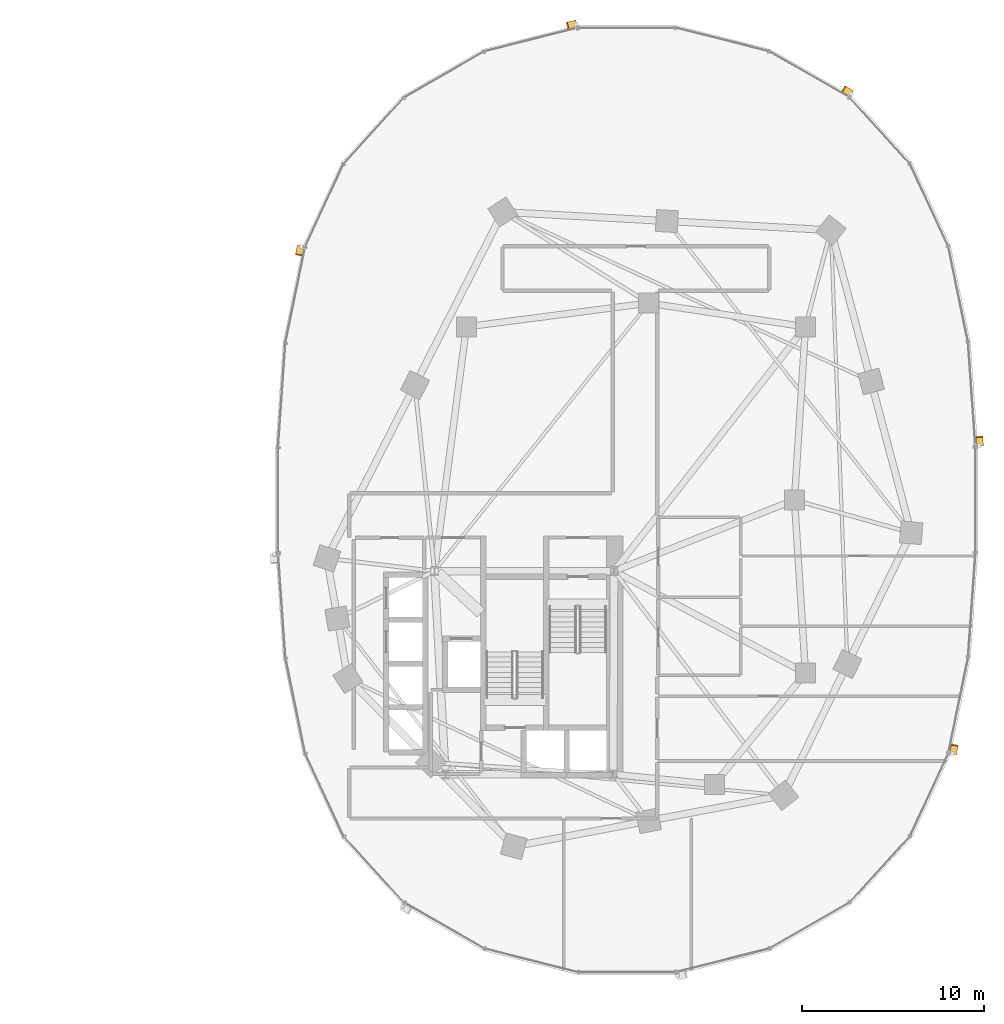
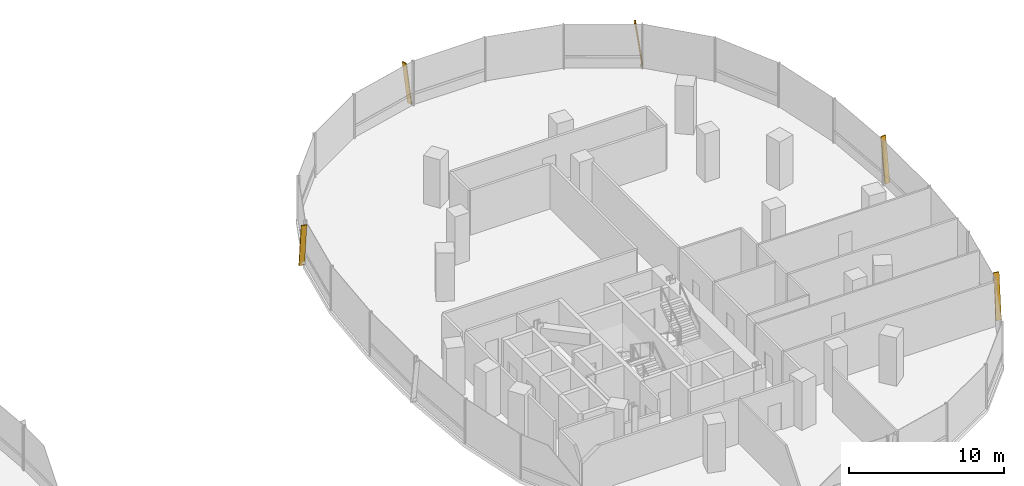
# One storey, part 21 of 21: 5 shading devices.
"""IFC4 building model written with IfcOpenShell, lengths in metres."""

from ifc_helpers import new_model, si_unit, direction, frame, origin, origin_2d, place, context, subcontext, project, spatial, rectangle, extrude, material, material_profile, profile_set, type_object, element, save


model = new_model("IFC4")

# Units and contexts
model_context = context("Model", 3, precision=1e-05, world=origin(), true_north=direction((0.0, 1.0)))
body_context = subcontext(model_context, "Body", "Model", "MODEL_VIEW")
ifc_project = project(units=[si_unit("LENGTHUNIT", "METRE"), si_unit("AREAUNIT", "SQUARE_METRE"), si_unit("VOLUMEUNIT", "CUBIC_METRE"), si_unit("PLANEANGLEUNIT", "RADIAN"), si_unit("MASSUNIT", "GRAM", prefix="KILO"), si_unit("THERMODYNAMICTEMPERATUREUNIT", "KELVIN"), si_unit("POWERUNIT", "WATT")], contexts=[model_context])

# Site, building, storey
site_placement = place(None, origin())
site = spatial("IfcSite", under=ifc_project, at=site_placement, CompositionType="ELEMENT")
building_placement = place(site_placement, origin())
building = spatial("IfcBuilding", under=site, at=building_placement, Name="Cundina Bronze Exchange", CompositionType="ELEMENT")
storey_placement = place(building_placement, frame((0.0, 0.0, 27.800048828125)))
storey = spatial("IfcBuildingStorey", under=building, at=storey_placement, Name="L06", CompositionType="ELEMENT", Elevation=27.800048828125)

# Shading devices
ifc_material = material(Name="Anodised Bronze Aluminium 6063-T6", Category="aluminium")
ifc_material_profile = material_profile(ifc_material, rectangle(XDim=0.070068359375, YDim=0.3798828125, at=origin_2d()), Name="FIN70X380", Category="aluminium")
ifc_profile_set = profile_set([ifc_material_profile], Name="Anodised Bronze Aluminium 6063-T6")
shading_device_type = type_object("IfcShadingDeviceType", Name="SHD-FIN-BRZ380", PredefinedType="USERDEFINED", material=ifc_profile_set)
for number, where, z_axis, x_axis, name in (
    (1, (51.3740234375, 2.993896484375, 0.02001953125), (-0.009645159174, 0.137059109714, 0.990515911709), (0.06953288269, -0.988072340253, 0.137398066402), "L06 Diagonal Bronze Solar Fin 1"),
    (2, (44.314208984375, 22.314208984375, 0.02001953125), (-0.119166378275, 0.06842456559, 0.990513731915), (0.85898178632, -0.493221799887, 0.137413779831), "L06 Diagonal Bronze Solar Fin 5"),
    (3, (29.212646484375, 26.138427734375, 0.02001953125), (-0.133214830938, -0.033688115694, 0.990514472221), (0.960284642503, 0.242842181368, 0.137408443412), "L06 Diagonal Bronze Solar Fin 1"),
    (4, (14.10400390625, 13.911865234375, 0.02001953125), (-0.027747134956, -0.134612045151, 0.990509815096), (0.199966585563, 0.970114971774, 0.137442010309), "L06 Diagonal Bronze Solar Fin 5"),
    (5, (49.89599609375, -13.911865234375, 0.02001953125), (0.027747134956, 0.134612045151, 0.990509815096), (-0.199966585563, -0.970114971774, 0.137442010309), "L06 Diagonal Bronze Solar Fin 5"),
):
    element("IfcShadingDevice", number, at=place(storey_placement, frame(where, z_axis=z_axis, x_axis=x_axis)), inside=storey, type_object=shading_device_type, Name=name, ObjectType="FIN", PredefinedType="USERDEFINED", context=body_context, shape_type="SweptSolid", body=[
        extrude(rectangle(XDim=0.070068359375, YDim=0.3798828125, at=origin_2d()), origin(), (0.0, 0.0, 1.0), 3.4931640625),
    ])

save(model, "model.ifc")
